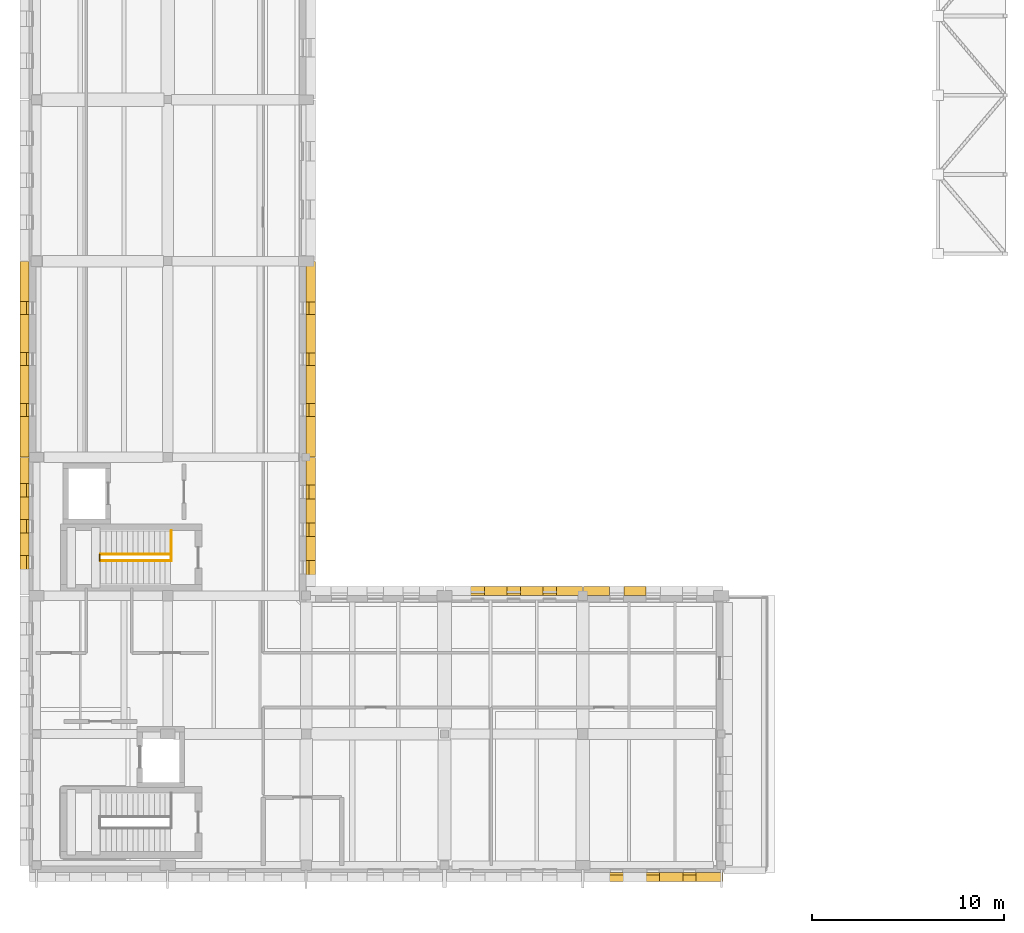
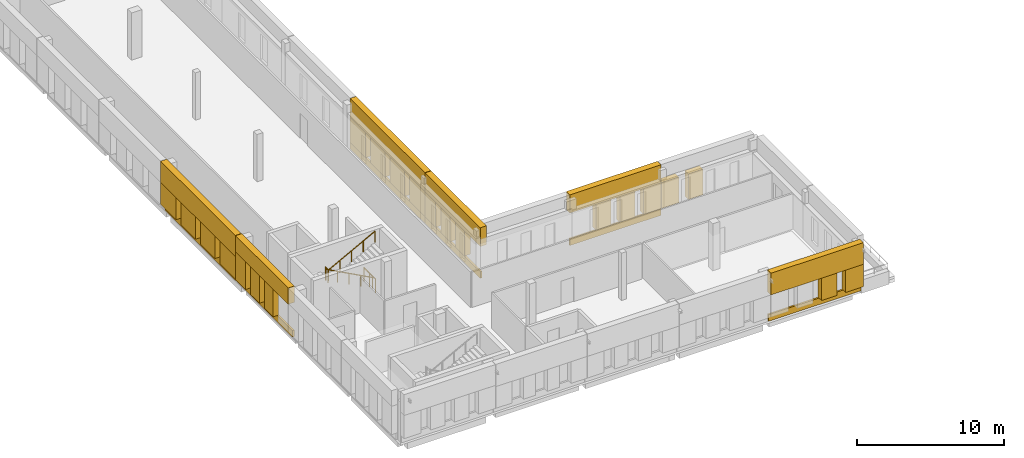
# One storey, part 29 of 34: 33 coverings, 4 railings.
"""IFC4 building model written with IfcOpenShell, lengths in metres."""

from ifc_helpers import new_model, si_unit, direction, frame, origin, origin_2d, place, context, subcontext, project, spatial, polyline, circle, outline, extrude, material, layer, layer_set, type_object, element, save


model = new_model("IFC4")

# Units and contexts
model_context = context("Model", 3, precision=1e-05, world=origin(), true_north=direction((0.0, 1.0)))
body_context = subcontext(model_context, "Body", "Model", "MODEL_VIEW")
ifc_project = project(units=[si_unit("LENGTHUNIT", "METRE"), si_unit("AREAUNIT", "SQUARE_METRE"), si_unit("VOLUMEUNIT", "CUBIC_METRE"), si_unit("PLANEANGLEUNIT", "RADIAN"), si_unit("MASSUNIT", "GRAM", prefix="KILO")], contexts=[model_context])

# Site, building, storey
site_placement = place(None, origin())
site = spatial("IfcSite", under=ifc_project, at=site_placement, CompositionType="ELEMENT")
building_placement = place(site_placement, origin())
building = spatial("IfcBuilding", under=site, at=building_placement, Name="Vardoun Plaza Health Centre", CompositionType="ELEMENT")
storey_placement = place(building_placement, frame((0.0, 0.0, 12.89990234375)))
storey = spatial("IfcBuildingStorey", under=building, at=storey_placement, Name="L03", CompositionType="ELEMENT", Elevation=12.89990234375)

# Coverings
ifc_material_1 = material(Name="Pale Limestone Concrete C35/45", Category="masonry")
ifc_layer = layer(ifc_material_1, 0.080078125)
ifc_layer_set = layer_set([ifc_layer], Name="Pale Limestone Concrete C35/45")
covering_type = type_object("IfcCoveringType", Name="CL-EXT1", PredefinedType="CLADDING", material=ifc_layer_set)
covering_1_placement = place(storey_placement, origin())
element("IfcCovering", 1, at=covering_1_placement, inside=storey, type_object=covering_type, Name="V2 L03 Pale Concrete Sill Band 345", PredefinedType="CLADDING", context=body_context, shape_type="SweptSolid", body=[
    extrude(outline(polyline([(18.89990234375, 36.280029296875), (18.89990234375, 26.1201171875), (19.0400390625, 26.1201171875), (19.0400390625, 36.280029296875), (18.89990234375, 36.280029296875)])), origin(), (0.0, 0.0, 1.0), 0.550048828125),
])
covering_2_placement = place(storey_placement, frame((0.0, 0.0, 2.630126953125)))
element("IfcCovering", 2, at=covering_2_placement, inside=storey, type_object=covering_type, Name="V2 L03 Sculpted Concrete Eyebrow Hood 346", PredefinedType="CLADDING", context=body_context, shape_type="SweptSolid", body=[
    extrude(outline(polyline([(18.89990234375, 36.280029296875), (18.89990234375, 26.1201171875), (19.3798828125, 26.1201171875), (19.3798828125, 36.280029296875), (18.89990234375, 36.280029296875)])), origin(), (0.0, 0.0, 1.0), 1.570068359375),
])
covering_3_placement = place(storey_placement, frame((0.0, 0.0, 0.550048828125)))
element("IfcCovering", 3, at=covering_3_placement, inside=storey, type_object=covering_type, Name="V2 L03 Deep-Punched Slot Concrete Reveal Pier 347", PredefinedType="CLADDING", context=body_context, shape_type="SweptSolid", body=[
    extrude(outline(polyline([(18.89990234375, 36.280029296875), (18.89990234375, 34.181884765625), (19.3798828125, 34.181884765625), (19.3798828125, 36.280029296875), (18.89990234375, 36.280029296875)])), origin(), (0.0, 0.0, 1.0), 2.080078125),
])
covering_4_placement = place(storey_placement, frame((0.0, 0.0, 0.550048828125)))
element("IfcCovering", 4, at=covering_4_placement, inside=storey, type_object=covering_type, Name="V2 L03 Deep-Punched Slot Concrete Reveal Pier 348", PredefinedType="CLADDING", context=body_context, shape_type="SweptSolid", body=[
    extrude(outline(polyline([(18.89990234375, 33.52197265625), (18.89990234375, 31.530029296875), (19.3798828125, 31.530029296875), (19.3798828125, 33.52197265625), (18.89990234375, 33.52197265625)])), origin(), (0.0, 0.0, 1.0), 2.080078125),
])
covering_5_placement = place(storey_placement, frame((0.0, 0.0, 0.550048828125)))
element("IfcCovering", 5, at=covering_5_placement, inside=storey, type_object=covering_type, Name="V2 L03 Deep-Punched Slot Concrete Reveal Pier 349", PredefinedType="CLADDING", context=body_context, shape_type="SweptSolid", body=[
    extrude(outline(polyline([(18.89990234375, 30.8701171875), (18.89990234375, 28.8779296875), (19.3798828125, 28.8779296875), (19.3798828125, 30.8701171875), (18.89990234375, 30.8701171875)])), origin(), (0.0, 0.0, 1.0), 2.080078125),
])
covering_6_placement = place(storey_placement, frame((0.0, 0.0, 0.550048828125)))
element("IfcCovering", 6, at=covering_6_placement, inside=storey, type_object=covering_type, Name="V2 L03 Deep-Punched Slot Concrete Reveal Pier 350", PredefinedType="CLADDING", context=body_context, shape_type="SweptSolid", body=[
    extrude(outline(polyline([(18.89990234375, 28.218017578125), (18.89990234375, 26.1201171875), (19.3798828125, 26.1201171875), (19.3798828125, 28.218017578125), (18.89990234375, 28.218017578125)])), origin(), (0.0, 0.0, 1.0), 2.080078125),
])
covering_7_placement = place(storey_placement, origin())
element("IfcCovering", 7, at=covering_7_placement, inside=storey, type_object=covering_type, Name="V2 L03 Pale Concrete Sill Band 351", PredefinedType="CLADDING", context=body_context, shape_type="SweptSolid", body=[
    extrude(outline(polyline([(18.89990234375, 26.080078125), (18.89990234375, 18.574951171875), (19.0400390625, 18.574951171875), (19.0400390625, 26.080078125), (18.89990234375, 26.080078125)])), origin(), (0.0, 0.0, 1.0), 0.550048828125),
])
covering_8_placement = place(storey_placement, frame((0.0, 0.0, 2.630126953125)))
element("IfcCovering", 8, at=covering_8_placement, inside=storey, type_object=covering_type, Name="V2 L03 Sculpted Concrete Eyebrow Hood 352", PredefinedType="CLADDING", context=body_context, shape_type="SweptSolid", body=[
    extrude(outline(polyline([(18.89990234375, 26.080078125), (18.89990234375, 18.574951171875), (19.3798828125, 18.574951171875), (19.3798828125, 26.080078125), (18.89990234375, 26.080078125)])), origin(), (0.0, 0.0, 1.0), 1.570068359375),
])
covering_9_placement = place(storey_placement, frame((0.0, 0.0, 0.550048828125)))
element("IfcCovering", 9, at=covering_9_placement, inside=storey, type_object=covering_type, Name="V2 L03 Deep-Punched Slot Concrete Reveal Pier 353", PredefinedType="CLADDING", context=body_context, shape_type="SweptSolid", body=[
    extrude(outline(polyline([(18.89990234375, 26.080078125), (18.89990234375, 24.649169921875), (19.3798828125, 24.649169921875), (19.3798828125, 26.080078125), (18.89990234375, 26.080078125)])), origin(), (0.0, 0.0, 1.0), 2.080078125),
])
covering_10_placement = place(storey_placement, frame((0.0, 0.0, 0.550048828125)))
element("IfcCovering", 10, at=covering_10_placement, inside=storey, type_object=covering_type, Name="V2 L03 Deep-Punched Slot Concrete Reveal Pier 354", PredefinedType="CLADDING", context=body_context, shape_type="SweptSolid", body=[
    extrude(outline(polyline([(18.89990234375, 23.92919921875), (18.89990234375, 22.6875), (19.3798828125, 22.6875), (19.3798828125, 23.92919921875), (18.89990234375, 23.92919921875)])), origin(), (0.0, 0.0, 1.0), 2.080078125),
])
covering_11_placement = place(storey_placement, frame((0.0, 0.0, 0.550048828125)))
element("IfcCovering", 11, at=covering_11_placement, inside=storey, type_object=covering_type, Name="V2 L03 Deep-Punched Slot Concrete Reveal Pier 355", PredefinedType="CLADDING", context=body_context, shape_type="SweptSolid", body=[
    extrude(outline(polyline([(18.89990234375, 21.967529296875), (18.89990234375, 20.725830078125), (19.3798828125, 20.725830078125), (19.3798828125, 21.967529296875), (18.89990234375, 21.967529296875)])), origin(), (0.0, 0.0, 1.0), 2.080078125),
])
covering_12_placement = place(storey_placement, origin())
element("IfcCovering", 12, at=covering_12_placement, inside=storey, type_object=covering_type, Name="V2 L03 Pale Concrete Sill Band 363", PredefinedType="CLADDING", context=body_context, shape_type="SweptSolid", body=[
    extrude(outline(polyline([(26.1201171875, 18.89990234375), (33.280029296875, 18.89990234375), (33.280029296875, 19.0400390625), (26.1201171875, 19.0400390625), (26.1201171875, 18.89990234375)])), origin(), (0.0, 0.0, 1.0), 0.550048828125),
])
covering_13_placement = place(storey_placement, frame((0.0, 0.0, 2.690185546875)))
element("IfcCovering", 13, at=covering_13_placement, inside=storey, type_object=covering_type, Name="V2 L03 Sculpted Concrete Eyebrow Hood 364", PredefinedType="CLADDING", context=body_context, shape_type="SweptSolid", body=[
    extrude(outline(polyline([(26.1201171875, 18.89990234375), (33.280029296875, 18.89990234375), (33.280029296875, 19.3798828125), (26.1201171875, 19.3798828125), (26.1201171875, 18.89990234375)])), origin(), (0.0, 0.0, 1.0), 1.510009765625),
])
covering_14_placement = place(storey_placement, frame((0.0, 0.0, 0.550048828125)))
element("IfcCovering", 14, at=covering_14_placement, inside=storey, type_object=covering_type, Name="V2 L03 Deep-Punched Slot Concrete Reveal Pier 366", PredefinedType="CLADDING", context=body_context, shape_type="SweptSolid", body=[
    extrude(outline(polyline([(28.173095703125, 18.89990234375), (29.35498046875, 18.89990234375), (29.35498046875, 19.3798828125), (28.173095703125, 19.3798828125), (28.173095703125, 18.89990234375)])), origin(), (0.0, 0.0, 1.0), 2.14013671875),
])
covering_15_placement = place(storey_placement, frame((0.0, 0.0, 0.550048828125)))
element("IfcCovering", 15, at=covering_15_placement, inside=storey, type_object=covering_type, Name="V2 L03 Deep-Punched Slot Concrete Reveal Pier 367", PredefinedType="CLADDING", context=body_context, shape_type="SweptSolid", body=[
    extrude(outline(polyline([(30.044921875, 18.89990234375), (31.22705078125, 18.89990234375), (31.22705078125, 19.3798828125), (30.044921875, 19.3798828125), (30.044921875, 18.89990234375)])), origin(), (0.0, 0.0, 1.0), 2.14013671875),
])
covering_16_placement = place(storey_placement, frame((0.0, 0.0, 0.550048828125)))
element("IfcCovering", 16, at=covering_16_placement, inside=storey, type_object=covering_type, Name="V2 L03 Deep-Punched Slot Concrete Reveal Pier 368", PredefinedType="CLADDING", context=body_context, shape_type="SweptSolid", body=[
    extrude(outline(polyline([(31.9169921875, 18.89990234375), (33.280029296875, 18.89990234375), (33.280029296875, 19.3798828125), (31.9169921875, 19.3798828125), (31.9169921875, 18.89990234375)])), origin(), (0.0, 0.0, 1.0), 2.14013671875),
])
covering_17_placement = place(storey_placement, frame((0.0, 0.0, 0.550048828125)))
element("IfcCovering", 17, at=covering_17_placement, inside=storey, type_object=covering_type, Name="V2 L03 Deep-Punched Slot Concrete Reveal Pier 371", PredefinedType="CLADDING", context=body_context, shape_type="SweptSolid", body=[
    extrude(outline(polyline([(33.320068359375, 18.89990234375), (34.677001953125, 18.89990234375), (34.677001953125, 19.3798828125), (33.320068359375, 19.3798828125), (33.320068359375, 18.89990234375)])), origin(), (0.0, 0.0, 1.0), 2.14013671875),
])
covering_18_placement = place(storey_placement, frame((0.0, 0.0, 0.550048828125)))
element("IfcCovering", 18, at=covering_18_placement, inside=storey, type_object=covering_type, Name="V2 L03 Deep-Punched Slot Concrete Reveal Pier 372", PredefinedType="CLADDING", context=body_context, shape_type="SweptSolid", body=[
    extrude(outline(polyline([(35.427001953125, 18.89990234375), (36.574951171875, 18.89990234375), (36.574951171875, 19.3798828125), (35.427001953125, 19.3798828125), (35.427001953125, 18.89990234375)])), origin(), (0.0, 0.0, 1.0), 2.14013671875),
])
covering_19_placement = place(storey_placement, origin())
element("IfcCovering", 19, at=covering_19_placement, inside=storey, type_object=covering_type, Name="V2 L03 Pale Concrete Sill Band 384", PredefinedType="CLADDING", context=body_context, shape_type="SweptSolid", body=[
    extrude(outline(polyline([(40.580078125, 4.5), (33.320068359375, 4.5), (33.320068359375, 4.360107421875), (40.580078125, 4.360107421875), (40.580078125, 4.5)])), origin(), (0.0, 0.0, 1.0), 0.550048828125),
])
covering_20_placement = place(storey_placement, frame((0.0, 0.0, 2.400146484375)))
element("IfcCovering", 20, at=covering_20_placement, inside=storey, type_object=covering_type, Name="V2 L03 Sculpted Concrete Eyebrow Hood 385", PredefinedType="CLADDING", context=body_context, shape_type="SweptSolid", body=[
    extrude(outline(polyline([(40.580078125, 4.5), (33.320068359375, 4.5), (33.320068359375, 4.02001953125), (40.580078125, 4.02001953125), (40.580078125, 4.5)])), origin(), (0.0, 0.0, 1.0), 1.800048828125),
])
covering_21_placement = place(storey_placement, frame((0.0, 0.0, 0.550048828125)))
element("IfcCovering", 21, at=covering_21_placement, inside=storey, type_object=covering_type, Name="V2 L03 Deep-Punched Slot Concrete Reveal Pier 386", PredefinedType="CLADDING", context=body_context, shape_type="SweptSolid", body=[
    extrude(outline(polyline([(40.580078125, 4.5), (39.18798828125, 4.5), (39.18798828125, 4.02001953125), (40.580078125, 4.02001953125), (40.580078125, 4.5)])), origin(), (0.0, 0.0, 1.0), 1.85009765625),
])
covering_22_placement = place(storey_placement, frame((0.0, 0.0, 0.550048828125)))
element("IfcCovering", 22, at=covering_22_placement, inside=storey, type_object=covering_type, Name="V2 L03 Deep-Punched Slot Concrete Reveal Pier 387", PredefinedType="CLADDING", context=body_context, shape_type="SweptSolid", body=[
    extrude(outline(polyline([(38.508056640625, 4.5), (37.2900390625, 4.5), (37.2900390625, 4.02001953125), (38.508056640625, 4.02001953125), (38.508056640625, 4.5)])), origin(), (0.0, 0.0, 1.0), 1.85009765625),
])
covering_23_placement = place(storey_placement, origin())
element("IfcCovering", 23, at=covering_23_placement, inside=storey, type_object=covering_type, Name="V2 L03 Pale Concrete Sill Band 426", PredefinedType="CLADDING", context=body_context, shape_type="SweptSolid", body=[
    extrude(outline(polyline([(4.5, 18.919921875), (4.5, 26.080078125), (4.360107421875, 26.080078125), (4.360107421875, 18.919921875), (4.5, 18.919921875)])), origin(), (0.0, 0.0, 1.0), 0.550048828125),
])
covering_24_placement = place(storey_placement, frame((0.0, 0.0, 2.85009765625)))
element("IfcCovering", 24, at=covering_24_placement, inside=storey, type_object=covering_type, Name="V2 L03 Sculpted Concrete Eyebrow Hood 427", PredefinedType="CLADDING", context=body_context, shape_type="SweptSolid", body=[
    extrude(outline(polyline([(4.5, 18.919921875), (4.5, 26.080078125), (4.02001953125, 26.080078125), (4.02001953125, 18.919921875), (4.5, 18.919921875)])), origin(), (0.0, 0.0, 1.0), 1.35009765625),
])
covering_25_placement = place(storey_placement, frame((0.0, 0.0, 0.550048828125)))
element("IfcCovering", 25, at=covering_25_placement, inside=storey, type_object=covering_type, Name="V2 L03 Deep-Punched Slot Concrete Reveal Pier 429", PredefinedType="CLADDING", context=body_context, shape_type="SweptSolid", body=[
    extrude(outline(polyline([(4.5, 20.97802734375), (4.5, 22.14990234375), (4.02001953125, 22.14990234375), (4.02001953125, 20.97802734375), (4.5, 20.97802734375)])), origin(), (0.0, 0.0, 1.0), 2.300048828125),
])
covering_26_placement = place(storey_placement, frame((0.0, 0.0, 0.550048828125)))
element("IfcCovering", 26, at=covering_26_placement, inside=storey, type_object=covering_type, Name="V2 L03 Deep-Punched Slot Concrete Reveal Pier 430", PredefinedType="CLADDING", context=body_context, shape_type="SweptSolid", body=[
    extrude(outline(polyline([(4.5, 22.85009765625), (4.5, 24.02197265625), (4.02001953125, 24.02197265625), (4.02001953125, 22.85009765625), (4.5, 22.85009765625)])), origin(), (0.0, 0.0, 1.0), 2.300048828125),
])
covering_27_placement = place(storey_placement, frame((0.0, 0.0, 0.550048828125)))
element("IfcCovering", 27, at=covering_27_placement, inside=storey, type_object=covering_type, Name="V2 L03 Deep-Punched Slot Concrete Reveal Pier 431", PredefinedType="CLADDING", context=body_context, shape_type="SweptSolid", body=[
    extrude(outline(polyline([(4.5, 24.721923828125), (4.5, 26.080078125), (4.02001953125, 26.080078125), (4.02001953125, 24.721923828125), (4.5, 24.721923828125)])), origin(), (0.0, 0.0, 1.0), 2.300048828125),
])
covering_28_placement = place(storey_placement, origin())
element("IfcCovering", 28, at=covering_28_placement, inside=storey, type_object=covering_type, Name="V2 L03 Pale Concrete Sill Band 432", PredefinedType="CLADDING", context=body_context, shape_type="SweptSolid", body=[
    extrude(outline(polyline([(4.5, 26.1201171875), (4.5, 36.280029296875), (4.360107421875, 36.280029296875), (4.360107421875, 26.1201171875), (4.5, 26.1201171875)])), origin(), (0.0, 0.0, 1.0), 0.60009765625),
])
covering_29_placement = place(storey_placement, frame((0.0, 0.0, 2.4501953125)))
element("IfcCovering", 29, at=covering_29_placement, inside=storey, type_object=covering_type, Name="V2 L03 Sculpted Concrete Eyebrow Hood 433", PredefinedType="CLADDING", context=body_context, shape_type="SweptSolid", body=[
    extrude(outline(polyline([(4.5, 26.1201171875), (4.5, 36.280029296875), (4.02001953125, 36.280029296875), (4.02001953125, 26.1201171875), (4.5, 26.1201171875)])), origin(), (0.0, 0.0, 1.0), 1.75),
])
covering_30_placement = place(storey_placement, frame((0.0, 0.0, 0.60009765625)))
element("IfcCovering", 30, at=covering_30_placement, inside=storey, type_object=covering_type, Name="V2 L03 Deep-Punched Slot Concrete Reveal Pier 434", PredefinedType="CLADDING", context=body_context, shape_type="SweptSolid", body=[
    extrude(outline(polyline([(4.5, 26.1201171875), (4.5, 28.2080078125), (4.02001953125, 28.2080078125), (4.02001953125, 26.1201171875), (4.5, 26.1201171875)])), origin(), (0.0, 0.0, 1.0), 1.85009765625),
])
covering_31_placement = place(storey_placement, frame((0.0, 0.0, 0.60009765625)))
element("IfcCovering", 31, at=covering_31_placement, inside=storey, type_object=covering_type, Name="V2 L03 Deep-Punched Slot Concrete Reveal Pier 435", PredefinedType="CLADDING", context=body_context, shape_type="SweptSolid", body=[
    extrude(outline(polyline([(4.5, 28.887939453125), (4.5, 30.860107421875), (4.02001953125, 30.860107421875), (4.02001953125, 28.887939453125), (4.5, 28.887939453125)])), origin(), (0.0, 0.0, 1.0), 1.85009765625),
])
covering_32_placement = place(storey_placement, frame((0.0, 0.0, 0.60009765625)))
element("IfcCovering", 32, at=covering_32_placement, inside=storey, type_object=covering_type, Name="V2 L03 Deep-Punched Slot Concrete Reveal Pier 436", PredefinedType="CLADDING", context=body_context, shape_type="SweptSolid", body=[
    extrude(outline(polyline([(4.5, 31.5400390625), (4.5, 33.511962890625), (4.02001953125, 33.511962890625), (4.02001953125, 31.5400390625), (4.5, 31.5400390625)])), origin(), (0.0, 0.0, 1.0), 1.85009765625),
])
covering_33_placement = place(storey_placement, frame((0.0, 0.0, 0.60009765625)))
element("IfcCovering", 33, at=covering_33_placement, inside=storey, type_object=covering_type, Name="V2 L03 Deep-Punched Slot Concrete Reveal Pier 437", PredefinedType="CLADDING", context=body_context, shape_type="SweptSolid", body=[
    extrude(outline(polyline([(4.5, 34.19189453125), (4.5, 36.280029296875), (4.02001953125, 36.280029296875), (4.02001953125, 34.19189453125), (4.5, 34.19189453125)])), origin(), (0.0, 0.0, 1.0), 1.85009765625),
])

# Railings
ifc_material_2 = material(Name="Painted Steel S275JR Stair-Well Guardrail", Category="steel")
railing_type_1 = type_object("IfcRailingType", Name="GR-04", PredefinedType="GUARDRAIL", material=ifc_material_2)
railing_1_placement = place(storey_placement, frame((11.889892578125, 20.705078125, 0.0)))
element("IfcRailing", 34, at=railing_1_placement, inside=storey, type_object=railing_type_1, Name="Stair ST-C2-L02 Upper Landing Well Guard", PredefinedType="GUARDRAIL", context=body_context, shape_type="SweptSolid", body=[
    extrude(circle(Radius=0.02392578125, at=origin_2d()), frame((0.0, 0.0, 1.09619140625), z_axis=(0.0, 1.0, 0.0), x_axis=(-1.0, 0.0, 0.0)), (0.0, 0.0, 1.0), 1.56494140625),
    extrude(circle(Radius=0.02099609375, at=origin_2d()), origin(), (0.0, 0.0, 1.0), 1.072021484375),
    extrude(circle(Radius=0.02099609375, at=origin_2d()), frame((0.0, 0.782470703125, 0.0)), (0.0, 0.0, 1.0), 1.072021484375),
    extrude(circle(Radius=0.02099609375, at=origin_2d()), frame((0.0, 1.56494140625, 0.0)), (0.0, 0.0, 1.0), 1.072021484375),
])
railing_2_placement = place(storey_placement, frame((8.169921875, 20.705078125, 2.10009765625)))
element("IfcRailing", 35, at=railing_2_placement, inside=storey, type_object=railing_type_1, Name="Stair ST-C2-L03 Mid-Landing Well Guard", PredefinedType="GUARDRAIL", context=body_context, shape_type="SweptSolid", body=[
    extrude(circle(Radius=0.02392578125, at=origin_2d()), frame((0.0, 0.0, 1.09619140625), z_axis=(0.0, 1.0, 0.0), x_axis=(-1.0, 0.0, 0.0)), (0.0, 0.0, 1.0), 0.33984375),
    extrude(circle(Radius=0.02099609375, at=origin_2d()), origin(), (0.0, 0.0, 1.0), 1.072021484375),
    extrude(circle(Radius=0.02099609375, at=origin_2d()), frame((0.0, 0.33984375, 0.0)), (0.0, 0.0, 1.0), 1.072021484375),
])
ifc_material_3 = material(Name="Brushed Stainless Steel Grade 316L", Category="steel")
railing_type_2 = type_object("IfcRailingType", Name="HR-01", PredefinedType="HANDRAIL", material=ifc_material_3)
railing_3_placement = place(storey_placement, frame((11.85009765625, 21.044921875, 0.150146484375)))
element("IfcRailing", 36, at=railing_3_placement, inside=storey, type_object=railing_type_2, Name="Stair ST-C2-L03 Flight 1 Handrail", PredefinedType="HANDRAIL", context=body_context, shape_type="SweptSolid", body=[
    extrude(circle(Radius=0.02392578125, at=origin_2d()), frame((0.0, 0.0, 0.89599609375), z_axis=(-0.881492274372, 0.0, 0.472198443689), x_axis=(0.0, -1.0, 0.0)), (0.0, 0.0, 1.0), 4.12939453125),
    extrude(circle(Radius=0.02099609375, at=origin_2d()), origin(), (0.0, 0.0, 1.0), 0.871826171875),
    extrude(circle(Radius=0.02099609375, at=origin_2d()), frame((-0.91015625, 0.0, 0.487548828125)), (0.0, 0.0, 1.0), 0.871826171875),
    extrude(circle(Radius=0.02099609375, at=origin_2d()), frame((-1.820068359375, 0.0, 0.97509765625)), (0.0, 0.0, 1.0), 0.871826171875),
    extrude(circle(Radius=0.02099609375, at=origin_2d()), frame((-2.72998046875, 0.0, 1.46240234375)), (0.0, 0.0, 1.0), 0.871826171875),
    extrude(circle(Radius=0.02099609375, at=origin_2d()), frame((-3.64013671875, 0.0, 1.949951171875)), (0.0, 0.0, 1.0), 0.871826171875),
])
railing_4_placement = place(storey_placement, frame((8.2099609375, 20.705078125, 2.25)))
element("IfcRailing", 37, at=railing_4_placement, inside=storey, type_object=railing_type_2, Name="Stair ST-C2-L03 Flight 2 Handrail", PredefinedType="HANDRAIL", context=body_context, shape_type="SweptSolid", body=[
    extrude(circle(Radius=0.02392578125, at=origin_2d()), frame((0.0, 0.0, 0.89599609375), z_axis=(0.881467665431, 0.0, 0.47224438038), x_axis=(0.0, 1.0, 0.0)), (0.0, 0.0, 1.0), 4.129638671875),
    extrude(circle(Radius=0.02099609375, at=origin_2d()), origin(), (0.0, 0.0, 1.0), 0.871826171875),
    extrude(circle(Radius=0.02099609375, at=origin_2d()), frame((0.91015625, 0.0, 0.487548828125)), (0.0, 0.0, 1.0), 0.871826171875),
    extrude(circle(Radius=0.02099609375, at=origin_2d()), frame((1.820068359375, 0.0, 0.97509765625)), (0.0, 0.0, 1.0), 0.871826171875),
    extrude(circle(Radius=0.02099609375, at=origin_2d()), frame((2.72998046875, 0.0, 1.462646484375)), (0.0, 0.0, 1.0), 0.871826171875),
    extrude(circle(Radius=0.02099609375, at=origin_2d()), frame((3.64013671875, 0.0, 1.9501953125)), (0.0, 0.0, 1.0), 0.871826171875),
])

save(model, "model.ifc")
